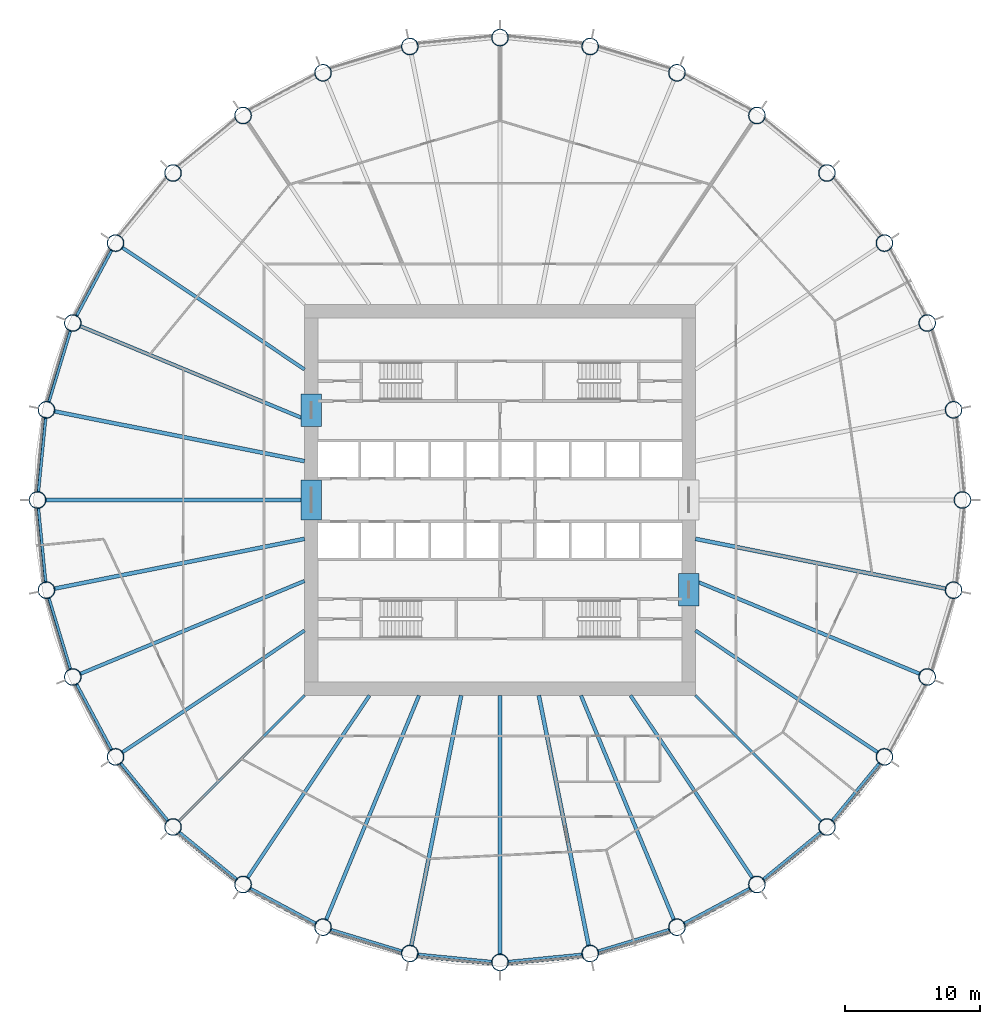
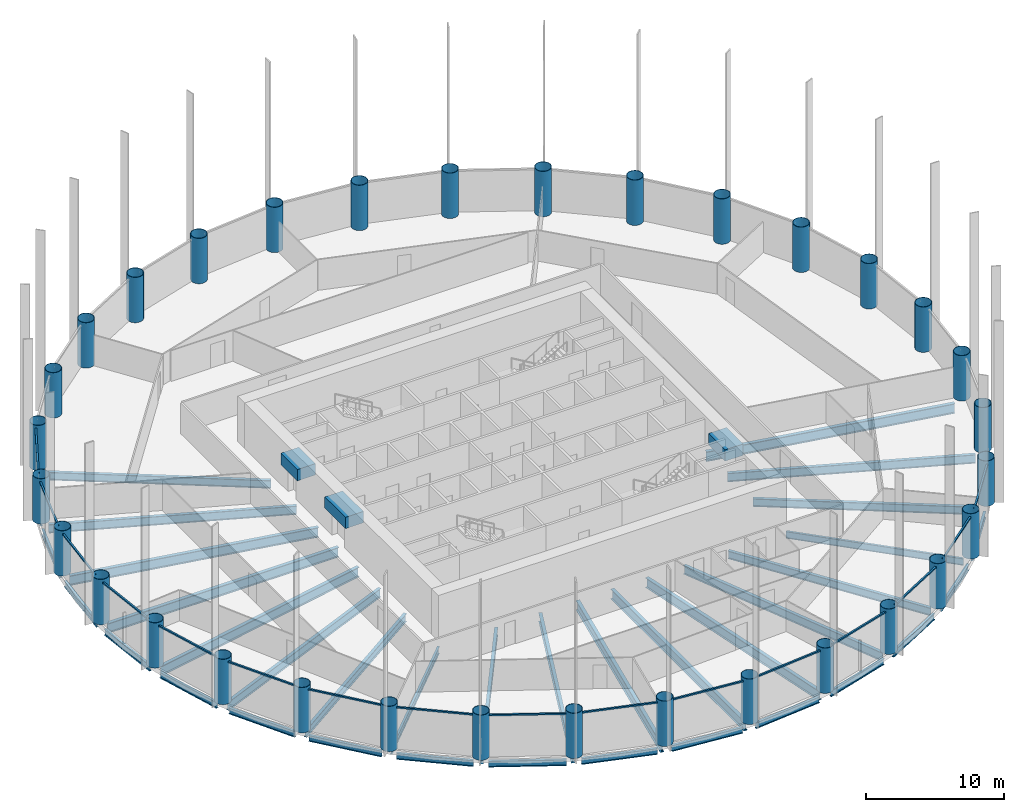
# One storey, part 1 of 10: 38 beams, 32 columns, 16 members, 16 elements without a shape of their own.
"""IFC4 building model written with IfcOpenShell, lengths in metres."""

from ifc_helpers import new_model, si_unit, direction, frame, origin, origin_2d, place, context, subcontext, project, spatial, rectangle, hollow_circle, i_section, extrude, material, material_profile, profile_set, type_object, element, aggregate, save


model = new_model("IFC4")

# Units and contexts
model_context = context("Model", 3, precision=1e-05, world=origin(), true_north=direction((0.0, 1.0)))
body_context = subcontext(model_context, "Body", "Model", "MODEL_VIEW")
ifc_project = project(units=[si_unit("LENGTHUNIT", "METRE"), si_unit("AREAUNIT", "SQUARE_METRE"), si_unit("VOLUMEUNIT", "CUBIC_METRE"), si_unit("PLANEANGLEUNIT", "RADIAN"), si_unit("MASSUNIT", "GRAM", prefix="KILO")], contexts=[model_context])

# Site, building, storey
site_placement = place(None, origin())
site = spatial("IfcSite", under=ifc_project, at=site_placement, CompositionType="ELEMENT")
building_placement = place(site_placement, origin())
building = spatial("IfcBuilding", under=site, at=building_placement, Name="Corvane Civic Tower", CompositionType="ELEMENT")
storey_placement = place(building_placement, frame((0.0, 0.0, 90.5)))
storey = spatial("IfcBuildingStorey", under=building, at=storey_placement, Name="L20", CompositionType="ELEMENT", Elevation=90.5)

# Columns
ifc_material_1 = material(Name="Steel ASTM A572 Gr 50", Category="steel")
ifc_material_profile_1 = material_profile(ifc_material_1, hollow_circle(Radius=0.625, WallThickness=0.035888671875, at=origin_2d()), Name="CHS1250X36")
ifc_profile_set_1 = profile_set([ifc_material_profile_1], Name="Steel ASTM A572 Gr 50")
column_type = type_object("IfcColumnType", Name="COMPOSITE COLUMN CHS1250X36", PredefinedType="COLUMN", material=ifc_profile_set_1)
for number, where, z_axis, x_axis, name in (
    (1, (0.0, 34.300048828125, 0.0), (0.0, 0.0, 1.0), (1.0, 0.0, 0.0), "COL-L20-B01"),
    (2, (6.691650390625, 33.640869140625, 0.0), (0.0, 0.0, 1.0), (1.0, 0.0, 0.0), "COL-L20-B02"),
    (3, (13.1259765625, 31.68896484375, 0.0), (0.0, 0.0, 1.0), (1.0, 0.0, 0.0), "COL-L20-B03"),
    (4, (19.05615234375, 28.519287109375, 0.0), (0.0, 0.0, 1.0), (1.0, 0.0, 0.0), "COL-L20-B04"),
    (5, (24.253662109375, 24.253662109375, 0.0), (0.0, 0.0, 1.0), (1.0, 0.0, 0.0), "COL-L20-B05"),
    (6, (28.519287109375, 19.05615234375, 0.0), (0.0, 0.0, 1.0), (1.0, 0.0, 0.0), "COL-L20-B06"),
    (7, (31.68896484375, 13.1259765625, 0.0), (0.0, 0.0, 1.0), (1.0, 0.0, 0.0), "COL-L20-B07"),
    (8, (33.640869140625, 6.691650390625, 0.0), (0.0, 0.0, 1.0), (1.0, 0.0, 0.0), "COL-L20-B08"),
    (9, (34.300048828125, 0.0, 0.0), (0.0, 0.0, 1.0), (1.0, 0.0, 0.0), "COL-L20-B09"),
    (10, (33.640869140625, -6.691650390625, 0.0), (0.0, 0.0, 1.0), (1.0, 0.0, 0.0), "COL-L20-B10"),
    (11, (31.68896484375, -13.1259765625, 0.0), (0.0, 0.0, 1.0), (1.0, 0.0, 0.0), "COL-L20-B11"),
    (12, (28.519287109375, -19.05615234375, 0.0), (0.0, 0.0, 1.0), (1.0, 0.0, 0.0), "COL-L20-B12"),
    (13, (24.253662109375, -24.253662109375, 0.0), (0.0, 0.0, 1.0), (1.0, 0.0, 0.0), "COL-L20-B13"),
    (14, (19.05615234375, -28.519287109375, 0.0), (0.0, 0.0, 1.0), (1.0, 0.0, 0.0), "COL-L20-B14"),
    (15, (13.1259765625, -31.68896484375, 0.0), (0.0, 0.0, 1.0), (1.0, 0.0, 0.0), "COL-L20-B15"),
    (16, (6.691650390625, -33.640869140625, 0.0), (0.0, 0.0, 1.0), (1.0, 0.0, 0.0), "COL-L20-B16"),
    (17, (0.0, -34.300048828125, 0.0), (0.0, 0.0, 1.0), (1.0, 0.0, 0.0), "COL-L20-B17"),
    (18, (-6.691650390625, -33.640869140625, 0.0), (0.0, 0.0, 1.0), (1.0, 0.0, 0.0), "COL-L20-B18"),
    (19, (-13.1259765625, -31.68896484375, 0.0), (0.0, 0.0, 1.0), (1.0, 0.0, 0.0), "COL-L20-B19"),
    (20, (-19.05615234375, -28.519287109375, 0.0), (0.0, 0.0, 1.0), (1.0, 0.0, 0.0), "COL-L20-B20"),
    (21, (-24.253662109375, -24.253662109375, 0.0), (0.0, 0.0, 1.0), (1.0, 0.0, 0.0), "COL-L20-B21"),
    (22, (-28.519287109375, -19.05615234375, 0.0), (0.0, 0.0, 1.0), (1.0, 0.0, 0.0), "COL-L20-B22"),
    (23, (-31.68896484375, -13.1259765625, 0.0), (0.0, 0.0, 1.0), (1.0, 0.0, 0.0), "COL-L20-B23"),
    (24, (-33.640869140625, -6.691650390625, 0.0), (0.0, 0.0, 1.0), (1.0, 0.0, 0.0), "COL-L20-B24"),
    (25, (-34.300048828125, 0.0, 0.0), (0.0, 0.0, 1.0), (1.0, 0.0, 0.0), "COL-L20-B25"),
    (26, (-33.640869140625, 6.691650390625, 0.0), (0.0, 0.0, 1.0), (1.0, 0.0, 0.0), "COL-L20-B26"),
    (27, (-31.68896484375, 13.1259765625, 0.0), (0.0, 0.0, 1.0), (1.0, 0.0, 0.0), "COL-L20-B27"),
    (28, (-28.519287109375, 19.05615234375, 0.0), (0.0, 0.0, 1.0), (1.0, 0.0, 0.0), "COL-L20-B28"),
    (29, (-24.253662109375, 24.253662109375, 0.0), (0.0, 0.0, 1.0), (1.0, 0.0, 0.0), "COL-L20-B29"),
    (30, (-19.05615234375, 28.519287109375, 0.0), (0.0, 0.0, 1.0), (1.0, 0.0, 0.0), "COL-L20-B30"),
    (31, (-13.1259765625, 31.68896484375, 0.0), (0.0, 0.0, 1.0), (1.0, 0.0, 0.0), "COL-L20-B31"),
    (32, (-6.691650390625, 33.640869140625, 0.0), (0.0, 0.0, 1.0), (1.0, 0.0, 0.0), "COL-L20-B32"),
):
    element("IfcColumn", number, at=place(storey_placement, frame(where, z_axis=z_axis, x_axis=x_axis)), inside=storey, type_object=column_type, Name=name, PredefinedType="COLUMN", context=body_context, shape_type="SweptSolid", body=[
        extrude(hollow_circle(Radius=0.625, WallThickness=0.035888671875, at=origin_2d()), origin(), (0.0, 0.0, 1.0), 4.0),
    ])

# Beams
ifc_material_2 = material(Name="Concrete C70/85", Category="concrete")
ifc_material_profile_2 = material_profile(ifc_material_2, rectangle(XDim=1.5, YDim=1.0, at=origin_2d()), Name="COUPLING BEAM 1500X1000")
ifc_profile_set_2 = profile_set([ifc_material_profile_2], Name="Concrete C70/85")
beam_type_1 = type_object("IfcBeamType", Name="COUPLING BEAM COUPLING BEAM 1500X1000", PredefinedType="BEAM", material=ifc_profile_set_2)
beam_1_placement = place(storey_placement, frame((-14.0, -1.5, 2.60009765625), z_axis=(0.0, 1.0, 0.0), x_axis=(-1.0, 0.0, 0.0)))
element("IfcBeam", 33, at=beam_1_placement, inside=storey, type_object=beam_type_1, Name="BM-L20-cpl-CW-LW", PredefinedType="BEAM", context=body_context, shape_type="SweptSolid", body=[
    extrude(rectangle(XDim=1.5, YDim=1.0, at=origin_2d()), origin(), (0.0, 0.0, 1.0), 3.0),
])
for number, where, z_axis, x_axis, name in (
    (34, (-14.0, 5.449951171875, 2.60009765625), (0.0, 1.0, 0.0), (-1.0, 0.0, 0.0), "BM-L20-cpl-CW-WN"),
    (35, (14.0, -7.85009765625, 2.60009765625), (0.0, 1.0, 0.0), (-1.0, 0.0, 0.0), "BM-L20-cpl-CW-ES"),
):
    element("IfcBeam", number, at=place(storey_placement, frame(where, z_axis=z_axis, x_axis=x_axis)), inside=storey, type_object=beam_type_1, Name=name, PredefinedType="BEAM", context=body_context, shape_type="SweptSolid", body=[
        extrude(rectangle(XDim=1.5, YDim=1.0, at=origin_2d()), origin(), (0.0, 0.0, 1.0), 2.400146484375),
    ])
ifc_material_3 = material(Name="Steel ASTM A992 Gr 50", Category="steel")
ifc_material_profile_3 = material_profile(ifc_material_3, i_section(OverallWidth=0.209228515625, OverallDepth=0.533447265625, WebThickness=0.01025390625, FlangeThickness=0.015625, at=origin_2d()), Name="W21X62")
ifc_profile_set_3 = profile_set([ifc_material_profile_3], Name="Steel ASTM A992 Gr 50")
beam_type_2 = type_object("IfcBeamType", Name="EDGE BEAM W21X62", PredefinedType="BEAM", material=ifc_profile_set_3)
for number, where, z_axis, x_axis, name in (
    (36, (28.17041015625, -19.481201171875, -0.716796875), (-0.634397765782, -0.773006775372, 0.0), (0.773006775372, -0.634397765782, 0.0), "BM-L20-E12"),
    (37, (23.82861328125, -24.6025390625, -0.716796875), (-0.773006775372, -0.634397765782, 0.0), (0.634397765782, -0.773006775372, 0.0), "BM-L20-E13"),
    (38, (18.571044921875, -28.778564453125, -0.716796875), (-0.88192357867, -0.471392407008, 0.0), (0.471392407008, -0.88192357867, 0.0), "BM-L20-E14"),
):
    element("IfcBeam", number, at=place(storey_placement, frame(where, z_axis=z_axis, x_axis=x_axis)), inside=storey, type_object=beam_type_2, Name=name, PredefinedType="BEAM", context=body_context, shape_type="SweptSolid", body=[
        extrude(i_section(OverallWidth=0.209228515625, OverallDepth=0.533447265625, WebThickness=0.01025390625, FlangeThickness=0.015625, at=origin_2d()), origin(), (0.0, 0.0, 1.0), 5.6240234375),
    ])
beam_2_placement = place(storey_placement, frame((12.599609375, -31.8486328125, -0.716796875), z_axis=(-0.956936367498, -0.290297758448, 0.0), x_axis=(0.290297758448, -0.956936367498, 0.0)))
element("IfcBeam", 39, at=beam_2_placement, inside=storey, type_object=beam_type_2, Name="BM-L20-E15", PredefinedType="BEAM", context=body_context, shape_type="SweptSolid", body=[
    extrude(i_section(OverallWidth=0.209228515625, OverallDepth=0.533447265625, WebThickness=0.01025390625, FlangeThickness=0.015625, at=origin_2d()), origin(), (0.0, 0.0, 1.0), 5.623779296875),
])
for number, where, z_axis, x_axis, name in (
    (40, (6.144287109375, -33.69482421875, -0.716796875), (-0.995184368522, -0.098020776625, 0.0), (0.098020776625, -0.995184368522, 0.0), "BM-L20-E16"),
    (41, (-0.54736328125, -34.24609375, -0.716796875), (-0.995184368522, 0.098020776625, 0.0), (-0.098020776625, -0.995184368522, 0.0), "BM-L20-E17"),
):
    element("IfcBeam", number, at=place(storey_placement, frame(where, z_axis=z_axis, x_axis=x_axis)), inside=storey, type_object=beam_type_2, Name=name, PredefinedType="BEAM", context=body_context, shape_type="SweptSolid", body=[
        extrude(i_section(OverallWidth=0.209228515625, OverallDepth=0.533447265625, WebThickness=0.01025390625, FlangeThickness=0.015625, at=origin_2d()), origin(), (0.0, 0.0, 1.0), 5.6240234375),
    ])
beam_3_placement = place(storey_placement, frame((-7.218017578125, -33.481201171875, -0.716796875), z_axis=(-0.956936367498, 0.290297758448, 0.0), x_axis=(-0.290297758448, -0.956936367498, 0.0)))
element("IfcBeam", 42, at=beam_3_placement, inside=storey, type_object=beam_type_2, Name="BM-L20-E18", PredefinedType="BEAM", context=body_context, shape_type="SweptSolid", body=[
    extrude(i_section(OverallWidth=0.209228515625, OverallDepth=0.533447265625, WebThickness=0.01025390625, FlangeThickness=0.015625, at=origin_2d()), origin(), (0.0, 0.0, 1.0), 5.623779296875),
])
for number, where, z_axis, x_axis, name in (
    (43, (-13.611083984375, -31.4296875, -0.716796875), (-0.88192357867, 0.471392407008, 0.0), (-0.471392407008, -0.88192357867, 0.0), "BM-L20-E19"),
    (44, (-19.481201171875, -28.17041015625, -0.716796875), (-0.773006775372, 0.634397765782, 0.0), (-0.634397765782, -0.773006775372, 0.0), "BM-L20-E20"),
    (45, (-24.6025390625, -23.82861328125, -0.716796875), (-0.634397765782, 0.773006775372, 0.0), (-0.773006775372, -0.634397765782, 0.0), "BM-L20-E21"),
    (46, (-28.778564453125, -18.571044921875, -0.716796875), (-0.471392407008, 0.88192357867, 0.0), (-0.88192357867, -0.471392407008, 0.0), "BM-L20-E22"),
):
    element("IfcBeam", number, at=place(storey_placement, frame(where, z_axis=z_axis, x_axis=x_axis)), inside=storey, type_object=beam_type_2, Name=name, PredefinedType="BEAM", context=body_context, shape_type="SweptSolid", body=[
        extrude(i_section(OverallWidth=0.209228515625, OverallDepth=0.533447265625, WebThickness=0.01025390625, FlangeThickness=0.015625, at=origin_2d()), origin(), (0.0, 0.0, 1.0), 5.6240234375),
    ])
beam_4_placement = place(storey_placement, frame((-31.8486328125, -12.599609375, -0.716796875), z_axis=(-0.290297758448, 0.956936367498, 0.0), x_axis=(-0.956936367498, -0.290297758448, 0.0)))
element("IfcBeam", 47, at=beam_4_placement, inside=storey, type_object=beam_type_2, Name="BM-L20-E23", PredefinedType="BEAM", context=body_context, shape_type="SweptSolid", body=[
    extrude(i_section(OverallWidth=0.209228515625, OverallDepth=0.533447265625, WebThickness=0.01025390625, FlangeThickness=0.015625, at=origin_2d()), origin(), (0.0, 0.0, 1.0), 5.623779296875),
])
for number, where, z_axis, x_axis, name in (
    (48, (-33.69482421875, -6.144287109375, -0.716796875), (-0.098020776625, 0.995184368522, 0.0), (-0.995184368522, -0.098020776625, 0.0), "BM-L20-E24"),
    (49, (-34.24609375, 0.54736328125, -0.716796875), (0.098020776625, 0.995184368522, 0.0), (-0.995184368522, 0.098020776625, 0.0), "BM-L20-E25"),
):
    element("IfcBeam", number, at=place(storey_placement, frame(where, z_axis=z_axis, x_axis=x_axis)), inside=storey, type_object=beam_type_2, Name=name, PredefinedType="BEAM", context=body_context, shape_type="SweptSolid", body=[
        extrude(i_section(OverallWidth=0.209228515625, OverallDepth=0.533447265625, WebThickness=0.01025390625, FlangeThickness=0.015625, at=origin_2d()), origin(), (0.0, 0.0, 1.0), 5.6240234375),
    ])
beam_5_placement = place(storey_placement, frame((-33.481201171875, 7.218017578125, -0.716796875), z_axis=(0.290297758448, 0.956936367498, 0.0), x_axis=(-0.956936367498, 0.290297758448, 0.0)))
element("IfcBeam", 50, at=beam_5_placement, inside=storey, type_object=beam_type_2, Name="BM-L20-E26", PredefinedType="BEAM", context=body_context, shape_type="SweptSolid", body=[
    extrude(i_section(OverallWidth=0.209228515625, OverallDepth=0.533447265625, WebThickness=0.01025390625, FlangeThickness=0.015625, at=origin_2d()), origin(), (0.0, 0.0, 1.0), 5.623779296875),
])
beam_6_placement = place(storey_placement, frame((-31.4296875, 13.611083984375, -0.716796875), z_axis=(0.471392407008, 0.88192357867, 0.0), x_axis=(-0.88192357867, 0.471392407008, 0.0)))
element("IfcBeam", 51, at=beam_6_placement, inside=storey, type_object=beam_type_2, Name="BM-L20-E27", PredefinedType="BEAM", context=body_context, shape_type="SweptSolid", body=[
    extrude(i_section(OverallWidth=0.209228515625, OverallDepth=0.533447265625, WebThickness=0.01025390625, FlangeThickness=0.015625, at=origin_2d()), origin(), (0.0, 0.0, 1.0), 5.6240234375),
])
ifc_material_4 = material(Name="Steel ASTM A992 Gr 50", Category="steel")
ifc_material_profile_4 = material_profile(ifc_material_4, i_section(OverallWidth=0.177978515625, OverallDepth=0.599365234375, WebThickness=0.010009765625, FlangeThickness=0.012939453125, at=origin_2d()), Name="W24X55")
ifc_profile_set_4 = profile_set([ifc_material_profile_4], Name="Steel ASTM A992 Gr 50")
beam_type_3 = type_object("IfcBeamType", Name="FLOOR GIRDER W24X55", PredefinedType="BEAM", material=ifc_profile_set_4)
for number, where, z_axis, x_axis, name in (
    (52, (14.5, -14.5, -0.749755859375), (0.707106781187, -0.707106781187, 0.0), (0.707106781187, 0.707106781187, 0.0), "BM-L20-G13"),
    (53, (-14.5, -14.5, -0.749755859375), (-0.707106781187, -0.707106781187, 0.0), (0.707106781187, -0.707106781187, 0.0), "BM-L20-G21"),
):
    element("IfcBeam", number, at=place(storey_placement, frame(where, z_axis=z_axis, x_axis=x_axis)), inside=storey, type_object=beam_type_3, Name=name, PredefinedType="BEAM", context=body_context, shape_type="SweptSolid", body=[
        extrude(i_section(OverallWidth=0.177978515625, OverallDepth=0.599365234375, WebThickness=0.010009765625, FlangeThickness=0.012939453125, at=origin_2d()), origin(), (0.0, 0.0, 1.0), 13.24365234375),
    ])
ifc_material_5 = material(Name="Steel ASTM A992 Gr 50", Category="steel")
ifc_material_profile_5 = material_profile(ifc_material_5, i_section(OverallWidth=0.256591796875, OverallDepth=0.693359375, WebThickness=0.014404296875, FlangeThickness=0.023681640625, at=origin_2d()), Name="W27X114")
ifc_profile_set_5 = profile_set([ifc_material_profile_5], Name="Steel ASTM A992 Gr 50")
beam_type_4 = type_object("IfcBeamType", Name="FLOOR GIRDER W27X114", PredefinedType="BEAM", material=ifc_profile_set_5)
for number, where, z_axis, x_axis, name in (
    (54, (14.5, -9.6884765625, -0.796630859375), (0.83146493365, -0.555577235054, 0.0), (0.555577235054, 0.83146493365, 0.0), "BM-L20-G12"),
    (55, (9.6884765625, -14.5, -0.796630859375), (0.555577235054, -0.83146493365, 0.0), (0.83146493365, 0.555577235054, 0.0), "BM-L20-G14"),
    (56, (-9.6884765625, -14.5, -0.796630859375), (-0.555577235054, -0.83146493365, 0.0), (0.83146493365, -0.555577235054, 0.0), "BM-L20-G20"),
    (57, (-14.5, -9.6884765625, -0.796630859375), (-0.83146493365, -0.555577235054, 0.0), (0.555577235054, -0.83146493365, 0.0), "BM-L20-G22"),
    (58, (-14.5, 9.6884765625, -0.796630859375), (-0.83146493365, 0.555577235054, 0.0), (-0.555577235054, -0.83146493365, 0.0), "BM-L20-G28"),
):
    element("IfcBeam", number, at=place(storey_placement, frame(where, z_axis=z_axis, x_axis=x_axis)), inside=storey, type_object=beam_type_4, Name=name, PredefinedType="BEAM", context=body_context, shape_type="SweptSolid", body=[
        extrude(i_section(OverallWidth=0.256591796875, OverallDepth=0.693359375, WebThickness=0.014404296875, FlangeThickness=0.023681640625, at=origin_2d()), origin(), (0.0, 0.0, 1.0), 16.31103515625),
    ])
ifc_material_6 = material(Name="Steel ASTM A992 Gr 50", Category="steel")
ifc_material_profile_6 = material_profile(ifc_material_6, i_section(OverallWidth=0.2666015625, OverallDepth=0.7568359375, WebThickness=0.013916015625, FlangeThickness=0.019287109375, at=origin_2d()), Name="W30X108")
ifc_profile_set_6 = profile_set([ifc_material_profile_6], Name="Steel ASTM A992 Gr 50")
beam_type_5 = type_object("IfcBeamType", Name="FLOOR GIRDER W30X108", PredefinedType="BEAM", material=ifc_profile_set_6)
for number, where, z_axis, x_axis, name in (
    (59, (14.5, -6.006103515625, -0.828369140625), (0.923880209691, -0.382681797504, 0.0), (0.382681797504, 0.923880209691, 0.0), "BM-L20-G11"),
    (60, (6.006103515625, -14.5, -0.828369140625), (0.382681797504, -0.923880209691, 0.0), (0.923880209691, 0.382681797504, 0.0), "BM-L20-G15"),
    (61, (-6.006103515625, -14.5, -0.828369140625), (-0.382681797504, -0.923880209691, 0.0), (0.923880209691, -0.382681797504, 0.0), "BM-L20-G19"),
    (62, (-14.5, -6.006103515625, -0.828369140625), (-0.923880209691, -0.382681797504, 0.0), (0.382681797504, -0.923880209691, 0.0), "BM-L20-G23"),
    (63, (-14.5, 6.006103515625, -0.828369140625), (-0.923880209691, 0.382681797504, 0.0), (-0.382681797504, -0.923880209691, 0.0), "BM-L20-G27"),
):
    element("IfcBeam", number, at=place(storey_placement, frame(where, z_axis=z_axis, x_axis=x_axis)), inside=storey, type_object=beam_type_5, Name=name, PredefinedType="BEAM", context=body_context, shape_type="SweptSolid", body=[
        extrude(i_section(OverallWidth=0.2666015625, OverallDepth=0.7568359375, WebThickness=0.013916015625, FlangeThickness=0.019287109375, at=origin_2d()), origin(), (0.0, 0.0, 1.0), 18.05517578125),
    ])
ifc_material_7 = material(Name="Steel ASTM A992 Gr 50", Category="steel")
ifc_material_profile_7 = material_profile(ifc_material_7, i_section(OverallWidth=0.2919921875, OverallDepth=0.8583984375, WebThickness=0.01708984375, FlangeThickness=0.031005859375, at=origin_2d()), Name="W33X169")
ifc_profile_set_7 = profile_set([ifc_material_profile_7], Name="Steel ASTM A992 Gr 50")
beam_type_6 = type_object("IfcBeamType", Name="FLOOR GIRDER W33X169", PredefinedType="BEAM", material=ifc_profile_set_7)
for number, where, z_axis, x_axis, name in (
    (64, (14.5, -2.88427734375, -0.879150390625), (0.9807865885, -0.195083745652, 0.0), (0.195083745652, 0.9807865885, 0.0), "BM-L20-G10"),
    (65, (2.88427734375, -14.5, -0.879150390625), (0.195083745652, -0.9807865885, 0.0), (0.9807865885, 0.195083745652, 0.0), "BM-L20-G16"),
):
    element("IfcBeam", number, at=place(storey_placement, frame(where, z_axis=z_axis, x_axis=x_axis)), inside=storey, type_object=beam_type_6, Name=name, PredefinedType="BEAM", context=body_context, shape_type="SweptSolid", body=[
        extrude(i_section(OverallWidth=0.2919921875, OverallDepth=0.8583984375, WebThickness=0.01708984375, FlangeThickness=0.031005859375, at=origin_2d()), origin(), (0.0, 0.0, 1.0), 18.966064453125),
    ])
beam_7_placement = place(storey_placement, frame((0.0, -14.5, -0.879150390625), z_axis=(0.0, -1.0, 0.0), x_axis=(1.0, 0.0, 0.0)))
element("IfcBeam", 66, at=beam_7_placement, inside=storey, type_object=beam_type_6, Name="BM-L20-G17", PredefinedType="BEAM", context=body_context, shape_type="SweptSolid", body=[
    extrude(i_section(OverallWidth=0.2919921875, OverallDepth=0.8583984375, WebThickness=0.01708984375, FlangeThickness=0.031005859375, at=origin_2d()), origin(), (0.0, 0.0, 1.0), 19.25),
])
for number, where, z_axis, x_axis, name in (
    (67, (-2.88427734375, -14.5, -0.879150390625), (-0.195083745652, -0.9807865885, 0.0), (0.9807865885, -0.195083745652, 0.0), "BM-L20-G18"),
    (68, (-14.5, -2.88427734375, -0.879150390625), (-0.9807865885, -0.195083745652, 0.0), (0.195083745652, -0.9807865885, 0.0), "BM-L20-G24"),
):
    element("IfcBeam", number, at=place(storey_placement, frame(where, z_axis=z_axis, x_axis=x_axis)), inside=storey, type_object=beam_type_6, Name=name, PredefinedType="BEAM", context=body_context, shape_type="SweptSolid", body=[
        extrude(i_section(OverallWidth=0.2919921875, OverallDepth=0.8583984375, WebThickness=0.01708984375, FlangeThickness=0.031005859375, at=origin_2d()), origin(), (0.0, 0.0, 1.0), 18.966064453125),
    ])
beam_8_placement = place(storey_placement, frame((-14.5, 0.0, -0.879150390625), z_axis=(-1.0, 0.0, 0.0), x_axis=(0.0, -1.0, 0.0)))
element("IfcBeam", 69, at=beam_8_placement, inside=storey, type_object=beam_type_6, Name="BM-L20-G25", PredefinedType="BEAM", context=body_context, shape_type="SweptSolid", body=[
    extrude(i_section(OverallWidth=0.2919921875, OverallDepth=0.8583984375, WebThickness=0.01708984375, FlangeThickness=0.031005859375, at=origin_2d()), origin(), (0.0, 0.0, 1.0), 19.25),
])
beam_9_placement = place(storey_placement, frame((-14.5, 2.88427734375, -0.879150390625), z_axis=(-0.9807865885, 0.195083745652, 0.0), x_axis=(-0.195083745652, -0.9807865885, 0.0)))
element("IfcBeam", 70, at=beam_9_placement, inside=storey, type_object=beam_type_6, Name="BM-L20-G26", PredefinedType="BEAM", context=body_context, shape_type="SweptSolid", body=[
    extrude(i_section(OverallWidth=0.2919921875, OverallDepth=0.8583984375, WebThickness=0.01708984375, FlangeThickness=0.031005859375, at=origin_2d()), origin(), (0.0, 0.0, 1.0), 18.966064453125),
])

# Curtain wall, member
ifc_material_8 = material(Name="Anodised aluminium bronze", Category="aluminium")
curtain_wall_type = type_object("IfcCurtainWallType", Name="TOWER CW-T1 STICK CURTAIN WALL", PredefinedType="NOTDEFINED", material=ifc_material_8)
curtain_wall_1_placement = place(storey_placement, origin())
curtain_wall_1 = element("IfcCurtainWall", 71, at=curtain_wall_1_placement, inside=storey, type_object=curtain_wall_type, Name="Curtain wall CW-T1 L20 bay 12", PredefinedType="NOTDEFINED")
ifc_material_9 = material(Name="Anodised aluminium bronze", Category="aluminium")
ifc_material_profile_8 = material_profile(ifc_material_9, rectangle(XDim=0.139892578125, YDim=0.1201171875, at=origin_2d()), Name="TOWER CW-T1 TRANSOM 140x120")
ifc_profile_set_8 = profile_set([ifc_material_profile_8], Name="Anodised aluminium bronze")
member_type = type_object("IfcMemberType", Name="TOWER CW-T1 TRANSOM 140x120", PredefinedType="USERDEFINED", material=ifc_profile_set_8)
member_1_placement = place(storey_placement, frame((28.297119140625, -19.609619140625, 3.68994140625), z_axis=(-0.634410369295, -0.772996431642, 0.0), x_axis=(0.772996431642, -0.634410369295, 0.0)))
member_1 = element("IfcMember", 72, at=member_1_placement, type_object=member_type, Name="Transom CW-T1 L20 12.1", ObjectType="TRANSOM", PredefinedType="USERDEFINED", context=body_context, shape_type="SweptSolid", body=[
    extrude(rectangle(XDim=0.139892578125, YDim=0.1201171875, at=origin_2d()), origin(), (0.0, 0.0, 1.0), 5.586181640625),
])
aggregate(curtain_wall_1, [member_1])

curtain_wall_2_placement = place(storey_placement, origin())
curtain_wall_2 = element("IfcCurtainWall", 73, at=curtain_wall_2_placement, inside=storey, type_object=curtain_wall_type, Name="Curtain wall CW-T1 L20 bay 13", PredefinedType="NOTDEFINED")
member_2_placement = place(storey_placement, frame((23.927734375, -24.753173828125, 3.68994140625), z_axis=(-0.772996431642, -0.634410369295, 0.0), x_axis=(0.634410369295, -0.772996431642, 0.0)))
member_2 = element("IfcMember", 74, at=member_2_placement, type_object=member_type, Name="Transom CW-T1 L20 13.1", ObjectType="TRANSOM", PredefinedType="USERDEFINED", context=body_context, shape_type="SweptSolid", body=[
    extrude(rectangle(XDim=0.139892578125, YDim=0.1201171875, at=origin_2d()), origin(), (0.0, 0.0, 1.0), 5.586181640625),
])
aggregate(curtain_wall_2, [member_2])

curtain_wall_3_placement = place(storey_placement, origin())
curtain_wall_3 = element("IfcCurtainWall", 75, at=curtain_wall_3_placement, inside=storey, type_object=curtain_wall_type, Name="Curtain wall CW-T1 L20 bay 14", PredefinedType="NOTDEFINED")
member_3_placement = place(storey_placement, frame((18.63916015625, -28.945556640625, 3.68994140625), z_axis=(-0.881920705407, -0.47139778253, 0.0), x_axis=(0.47139778253, -0.881920705407, 0.0)))
member_3 = element("IfcMember", 76, at=member_3_placement, type_object=member_type, Name="Transom CW-T1 L20 14.1", ObjectType="TRANSOM", PredefinedType="USERDEFINED", context=body_context, shape_type="SweptSolid", body=[
    extrude(rectangle(XDim=0.139892578125, YDim=0.1201171875, at=origin_2d()), origin(), (0.0, 0.0, 1.0), 5.586669921875),
])
aggregate(curtain_wall_3, [member_3])

curtain_wall_4_placement = place(storey_placement, origin())
curtain_wall_4 = element("IfcCurtainWall", 77, at=curtain_wall_4_placement, inside=storey, type_object=curtain_wall_type, Name="Curtain wall CW-T1 L20 bay 15", PredefinedType="NOTDEFINED")
member_4_placement = place(storey_placement, frame((12.6337890625, -32.025634765625, 3.68994140625), z_axis=(-0.956944977029, -0.290269376509, 0.0), x_axis=(0.290269376509, -0.956944977029, 0.0)))
member_4 = element("IfcMember", 78, at=member_4_placement, type_object=member_type, Name="Transom CW-T1 L20 15.1", ObjectType="TRANSOM", PredefinedType="USERDEFINED", context=body_context, shape_type="SweptSolid", body=[
    extrude(rectangle(XDim=0.139892578125, YDim=0.1201171875, at=origin_2d()), origin(), (0.0, 0.0, 1.0), 5.58642578125),
])
aggregate(curtain_wall_4, [member_4])

curtain_wall_5_placement = place(storey_placement, origin())
curtain_wall_5 = element("IfcCurtainWall", 79, at=curtain_wall_5_placement, inside=storey, type_object=curtain_wall_type, Name="Curtain wall CW-T1 L20 bay 16", PredefinedType="NOTDEFINED")
member_5_placement = place(storey_placement, frame((6.14306640625, -33.874755859375, 3.68994140625), z_axis=(-0.995179807033, -0.098067077419, 0.0), x_axis=(0.098067077419, -0.995179807033, 0.0)))
member_5 = element("IfcMember", 80, at=member_5_placement, type_object=member_type, Name="Transom CW-T1 L20 16.1", ObjectType="TRANSOM", PredefinedType="USERDEFINED", context=body_context, shape_type="SweptSolid", body=[
    extrude(rectangle(XDim=0.139892578125, YDim=0.1201171875, at=origin_2d()), origin(), (0.0, 0.0, 1.0), 5.58642578125),
])
aggregate(curtain_wall_5, [member_5])

curtain_wall_6_placement = place(storey_placement, origin())
curtain_wall_6 = element("IfcCurtainWall", 81, at=curtain_wall_6_placement, inside=storey, type_object=curtain_wall_type, Name="Curtain wall CW-T1 L20 bay 17", PredefinedType="NOTDEFINED")
member_6_placement = place(storey_placement, frame((-0.58349609375, -34.422607421875, 3.68994140625), z_axis=(-0.995179807033, 0.098067077419, 0.0), x_axis=(-0.098067077419, -0.995179807033, 0.0)))
member_6 = element("IfcMember", 82, at=member_6_placement, type_object=member_type, Name="Transom CW-T1 L20 17.1", ObjectType="TRANSOM", PredefinedType="USERDEFINED", context=body_context, shape_type="SweptSolid", body=[
    extrude(rectangle(XDim=0.139892578125, YDim=0.1201171875, at=origin_2d()), origin(), (0.0, 0.0, 1.0), 5.58642578125),
])
aggregate(curtain_wall_6, [member_6])

curtain_wall_7_placement = place(storey_placement, origin())
curtain_wall_7 = element("IfcCurtainWall", 83, at=curtain_wall_7_placement, inside=storey, type_object=curtain_wall_type, Name="Curtain wall CW-T1 L20 bay 18", PredefinedType="NOTDEFINED")
member_7_placement = place(storey_placement, frame((-7.287841796875, -33.647216796875, 3.68994140625), z_axis=(-0.956944977029, 0.290269376509, 0.0), x_axis=(-0.290269376509, -0.956944977029, 0.0)))
member_7 = element("IfcMember", 84, at=member_7_placement, type_object=member_type, Name="Transom CW-T1 L20 18.1", ObjectType="TRANSOM", PredefinedType="USERDEFINED", context=body_context, shape_type="SweptSolid", body=[
    extrude(rectangle(XDim=0.139892578125, YDim=0.1201171875, at=origin_2d()), origin(), (0.0, 0.0, 1.0), 5.58642578125),
])
aggregate(curtain_wall_7, [member_7])

curtain_wall_8_placement = place(storey_placement, origin())
curtain_wall_8 = element("IfcCurtainWall", 85, at=curtain_wall_8_placement, inside=storey, type_object=curtain_wall_type, Name="Curtain wall CW-T1 L20 bay 19", PredefinedType="NOTDEFINED")
member_8_placement = place(storey_placement, frame((-13.712158203125, -31.5791015625, 3.68994140625), z_axis=(-0.881920705407, 0.47139778253, 0.0), x_axis=(-0.47139778253, -0.881920705407, 0.0)))
member_8 = element("IfcMember", 86, at=member_8_placement, type_object=member_type, Name="Transom CW-T1 L20 19.1", ObjectType="TRANSOM", PredefinedType="USERDEFINED", context=body_context, shape_type="SweptSolid", body=[
    extrude(rectangle(XDim=0.139892578125, YDim=0.1201171875, at=origin_2d()), origin(), (0.0, 0.0, 1.0), 5.586669921875),
])
aggregate(curtain_wall_8, [member_8])

curtain_wall_9_placement = place(storey_placement, origin())
curtain_wall_9 = element("IfcCurtainWall", 87, at=curtain_wall_9_placement, inside=storey, type_object=curtain_wall_type, Name="Curtain wall CW-T1 L20 bay 20", PredefinedType="NOTDEFINED")
member_9_placement = place(storey_placement, frame((-19.609619140625, -28.297119140625, 3.68994140625), z_axis=(-0.772996431642, 0.634410369295, 0.0), x_axis=(-0.634410369295, -0.772996431642, 0.0)))
member_9 = element("IfcMember", 88, at=member_9_placement, type_object=member_type, Name="Transom CW-T1 L20 20.1", ObjectType="TRANSOM", PredefinedType="USERDEFINED", context=body_context, shape_type="SweptSolid", body=[
    extrude(rectangle(XDim=0.139892578125, YDim=0.1201171875, at=origin_2d()), origin(), (0.0, 0.0, 1.0), 5.586181640625),
])
aggregate(curtain_wall_9, [member_9])

curtain_wall_10_placement = place(storey_placement, origin())
curtain_wall_10 = element("IfcCurtainWall", 89, at=curtain_wall_10_placement, inside=storey, type_object=curtain_wall_type, Name="Curtain wall CW-T1 L20 bay 21", PredefinedType="NOTDEFINED")
member_10_placement = place(storey_placement, frame((-24.753173828125, -23.927734375, 3.68994140625), z_axis=(-0.634410369295, 0.772996431642, 0.0), x_axis=(-0.772996431642, -0.634410369295, 0.0)))
member_10 = element("IfcMember", 90, at=member_10_placement, type_object=member_type, Name="Transom CW-T1 L20 21.1", ObjectType="TRANSOM", PredefinedType="USERDEFINED", context=body_context, shape_type="SweptSolid", body=[
    extrude(rectangle(XDim=0.139892578125, YDim=0.1201171875, at=origin_2d()), origin(), (0.0, 0.0, 1.0), 5.586181640625),
])
aggregate(curtain_wall_10, [member_10])

curtain_wall_11_placement = place(storey_placement, origin())
curtain_wall_11 = element("IfcCurtainWall", 91, at=curtain_wall_11_placement, inside=storey, type_object=curtain_wall_type, Name="Curtain wall CW-T1 L20 bay 22", PredefinedType="NOTDEFINED")
member_11_placement = place(storey_placement, frame((-28.945556640625, -18.63916015625, 3.68994140625), z_axis=(-0.47139778253, 0.881920705407, 0.0), x_axis=(-0.881920705407, -0.47139778253, 0.0)))
member_11 = element("IfcMember", 92, at=member_11_placement, type_object=member_type, Name="Transom CW-T1 L20 22.1", ObjectType="TRANSOM", PredefinedType="USERDEFINED", context=body_context, shape_type="SweptSolid", body=[
    extrude(rectangle(XDim=0.139892578125, YDim=0.1201171875, at=origin_2d()), origin(), (0.0, 0.0, 1.0), 5.586669921875),
])
aggregate(curtain_wall_11, [member_11])

curtain_wall_12_placement = place(storey_placement, origin())
curtain_wall_12 = element("IfcCurtainWall", 93, at=curtain_wall_12_placement, inside=storey, type_object=curtain_wall_type, Name="Curtain wall CW-T1 L20 bay 23", PredefinedType="NOTDEFINED")
member_12_placement = place(storey_placement, frame((-32.025634765625, -12.6337890625, 3.68994140625), z_axis=(-0.290269376509, 0.956944977029, 0.0), x_axis=(-0.956944977029, -0.290269376509, 0.0)))
member_12 = element("IfcMember", 94, at=member_12_placement, type_object=member_type, Name="Transom CW-T1 L20 23.1", ObjectType="TRANSOM", PredefinedType="USERDEFINED", context=body_context, shape_type="SweptSolid", body=[
    extrude(rectangle(XDim=0.139892578125, YDim=0.1201171875, at=origin_2d()), origin(), (0.0, 0.0, 1.0), 5.58642578125),
])
aggregate(curtain_wall_12, [member_12])

curtain_wall_13_placement = place(storey_placement, origin())
curtain_wall_13 = element("IfcCurtainWall", 95, at=curtain_wall_13_placement, inside=storey, type_object=curtain_wall_type, Name="Curtain wall CW-T1 L20 bay 24", PredefinedType="NOTDEFINED")
member_13_placement = place(storey_placement, frame((-33.874755859375, -6.14306640625, 3.68994140625), z_axis=(-0.098067077419, 0.995179807033, 0.0), x_axis=(-0.995179807033, -0.098067077419, 0.0)))
member_13 = element("IfcMember", 96, at=member_13_placement, type_object=member_type, Name="Transom CW-T1 L20 24.1", ObjectType="TRANSOM", PredefinedType="USERDEFINED", context=body_context, shape_type="SweptSolid", body=[
    extrude(rectangle(XDim=0.139892578125, YDim=0.1201171875, at=origin_2d()), origin(), (0.0, 0.0, 1.0), 5.58642578125),
])
aggregate(curtain_wall_13, [member_13])

curtain_wall_14_placement = place(storey_placement, origin())
curtain_wall_14 = element("IfcCurtainWall", 97, at=curtain_wall_14_placement, inside=storey, type_object=curtain_wall_type, Name="Curtain wall CW-T1 L20 bay 25", PredefinedType="NOTDEFINED")
member_14_placement = place(storey_placement, frame((-34.422607421875, 0.58349609375, 3.68994140625), z_axis=(0.098067077419, 0.995179807033, 0.0), x_axis=(-0.995179807033, 0.098067077419, 0.0)))
member_14 = element("IfcMember", 98, at=member_14_placement, type_object=member_type, Name="Transom CW-T1 L20 25.1", ObjectType="TRANSOM", PredefinedType="USERDEFINED", context=body_context, shape_type="SweptSolid", body=[
    extrude(rectangle(XDim=0.139892578125, YDim=0.1201171875, at=origin_2d()), origin(), (0.0, 0.0, 1.0), 5.58642578125),
])
aggregate(curtain_wall_14, [member_14])

curtain_wall_15_placement = place(storey_placement, origin())
curtain_wall_15 = element("IfcCurtainWall", 99, at=curtain_wall_15_placement, inside=storey, type_object=curtain_wall_type, Name="Curtain wall CW-T1 L20 bay 26", PredefinedType="NOTDEFINED")
member_15_placement = place(storey_placement, frame((-33.647216796875, 7.287841796875, 3.68994140625), z_axis=(0.290269376509, 0.956944977029, 0.0), x_axis=(-0.956944977029, 0.290269376509, 0.0)))
member_15 = element("IfcMember", 100, at=member_15_placement, type_object=member_type, Name="Transom CW-T1 L20 26.1", ObjectType="TRANSOM", PredefinedType="USERDEFINED", context=body_context, shape_type="SweptSolid", body=[
    extrude(rectangle(XDim=0.139892578125, YDim=0.1201171875, at=origin_2d()), origin(), (0.0, 0.0, 1.0), 5.58642578125),
])
aggregate(curtain_wall_15, [member_15])

curtain_wall_16_placement = place(storey_placement, origin())
curtain_wall_16 = element("IfcCurtainWall", 101, at=curtain_wall_16_placement, inside=storey, type_object=curtain_wall_type, Name="Curtain wall CW-T1 L20 bay 27", PredefinedType="NOTDEFINED")
member_16_placement = place(storey_placement, frame((-31.5791015625, 13.712158203125, 3.68994140625), z_axis=(0.47139778253, 0.881920705407, 0.0), x_axis=(-0.881920705407, 0.47139778253, 0.0)))
member_16 = element("IfcMember", 102, at=member_16_placement, type_object=member_type, Name="Transom CW-T1 L20 27.1", ObjectType="TRANSOM", PredefinedType="USERDEFINED", context=body_context, shape_type="SweptSolid", body=[
    extrude(rectangle(XDim=0.139892578125, YDim=0.1201171875, at=origin_2d()), origin(), (0.0, 0.0, 1.0), 5.586669921875),
])
aggregate(curtain_wall_16, [member_16])

save(model, "model.ifc")
